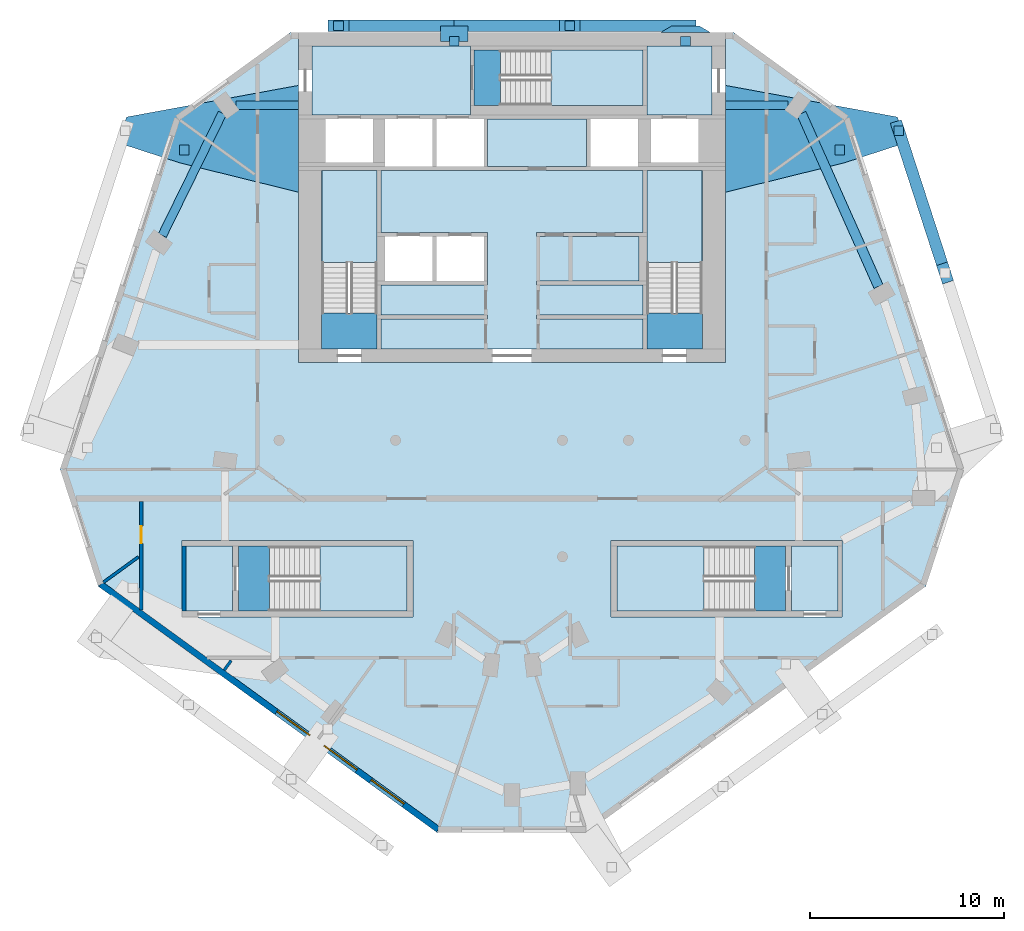
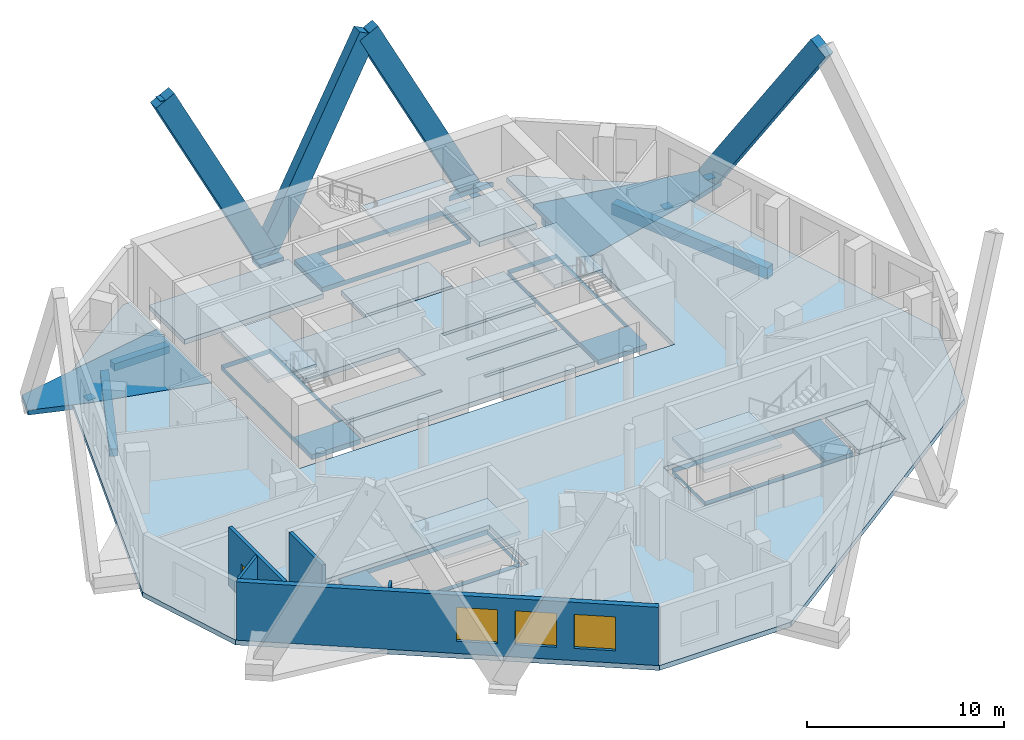
# One storey, part 2 of 9: 17 slabs, 8 members, 7 discrete accessories, 5 walls, 4 beams, 3 windows, 1 door, 4 openings, 5 elements without a shape of their own.
"""IFC4 building model written with IfcOpenShell, lengths in metres."""

from ifc_helpers import new_model, si_unit, direction, frame, frame_2d, origin, origin_2d, place, context, subcontext, project, spatial, polyline, rectangle, outline, extrude, material, layer, layer_set, material_profile, profile_set, type_object, element, fill, aggregate, save


model = new_model("IFC4")

# Units and contexts
model_context = context("Model", 3, precision=1e-05, world=origin(), true_north=direction((0.0, 1.0)))
body_context = subcontext(model_context, "Body", "Model", "MODEL_VIEW")
ifc_project = project(units=[si_unit("LENGTHUNIT", "METRE"), si_unit("AREAUNIT", "SQUARE_METRE"), si_unit("VOLUMEUNIT", "CUBIC_METRE"), si_unit("PLANEANGLEUNIT", "RADIAN"), si_unit("MASSUNIT", "GRAM", prefix="KILO")], contexts=[model_context])

# Site, building, storey
site_placement = place(None, origin())
site = spatial("IfcSite", under=ifc_project, at=site_placement, CompositionType="ELEMENT")
building_placement = place(site_placement, origin())
building = spatial("IfcBuilding", under=site, at=building_placement, Name="White Candle Pilgrim Tower", CompositionType="ELEMENT")
storey_placement = place(building_placement, frame((0.0, 0.0, 271.699951171875)))
storey = spatial("IfcBuildingStorey", under=building, at=storey_placement, Name="L64", CompositionType="ELEMENT", Elevation=271.699951171875)

# Member
ifc_material_1 = material(Name="Concrete C60/75, white", Category="concrete")
ifc_material_profile_1 = material_profile(ifc_material_1, rectangle(XDim=0.60009765625, YDim=1.199951171875, at=origin_2d()), Name="RC-DG 600x1200")
ifc_profile_set_1 = profile_set([ifc_material_profile_1], Name="Concrete C60/75, white")
member_type_1 = type_object("IfcMemberType", Name="Exoskeleton diagonal RC-DG 600x1200 C60/75", PredefinedType="BRACE", material=ifc_profile_set_1)
member_1_placement = place(storey_placement, frame((78.93701171875, 88.35009765625, 0.0), z_axis=(-0.453783992732, 0.0, 0.891111714624), x_axis=(0.0, -1.0, 0.0)))
member_1 = element("IfcMember", 1, at=member_1_placement, inside=storey, type_object=member_type_1, Name="Exoskeleton diagonal EX247", PredefinedType="BRACE", context=body_context, shape_type="SweptSolid", body=[
    extrude(rectangle(XDim=0.60009765625, YDim=1.199951171875, at=origin_2d()), origin(), (0.0, 0.0, 1.0), 13.129638671875),
])

member_2_placement = place(storey_placement, frame((67.02099609375, 88.35009765625, 0.0), z_axis=(0.453783992732, 0.0, 0.891111714624), x_axis=(0.0, 1.0, 0.0)))
element("IfcMember", 2, at=member_2_placement, inside=storey, type_object=member_type_1, Name="Exoskeleton diagonal EX248", PredefinedType="BRACE", context=body_context, shape_type="SweptSolid", body=[
    extrude(rectangle(XDim=0.60009765625, YDim=1.199951171875, at=origin_2d()), origin(), (0.0, 0.0, 1.0), 13.129638671875),
])

member_3_placement = place(storey_placement, frame((67.02099609375, 88.35009765625, 0.0), z_axis=(-0.453783992732, 0.0, 0.891111714624), x_axis=(0.0, -1.0, 0.0)))
member_3 = element("IfcMember", 3, at=member_3_placement, inside=storey, type_object=member_type_1, Name="Exoskeleton diagonal EX249", PredefinedType="BRACE", context=body_context, shape_type="SweptSolid", body=[
    extrude(rectangle(XDim=0.60009765625, YDim=1.199951171875, at=origin_2d()), origin(), (0.0, 0.0, 1.0), 13.129638671875),
])

member_4_placement = place(storey_placement, frame((89.926513671875, 82.9423828125, 0.0), z_axis=(0.169889389564, -0.522897474805, 0.83529385617), x_axis=(0.951062021441, 0.309000050766, 0.0)))
member_4 = element("IfcMember", 4, at=member_4_placement, inside=storey, type_object=member_type_1, Name="Exoskeleton diagonal EX258", PredefinedType="BRACE", context=body_context, shape_type="SweptSolid", body=[
    extrude(rectangle(XDim=0.60009765625, YDim=1.199951171875, at=origin_2d()), origin(), (0.0, 0.0, 1.0), 14.007080078125),
])

ifc_material_2 = material(Name="Concrete C70/85, white", Category="concrete")
ifc_layer_1 = layer(ifc_material_2, 0.300048828125)
ifc_layer_set_1 = layer_set([ifc_layer_1], Name="Node tie strut 3350x1400x300 C70/85")
member_type_2 = type_object("IfcMemberType", Name="Node tie strut 3350x1400x300 C70/85", PredefinedType="STRUT", material=ifc_layer_set_1)
member_5_placement = place(storey_placement, frame((0.0, 0.0, -0.300048828125)))
member_5 = element("IfcMember", 5, at=member_5_placement, inside=storey, type_object=member_type_2, Name="Node tie strut NC222", PredefinedType="STRUT", context=body_context, shape_type="SweptSolid", body=[
    extrude(outline(polyline([(81.0, 79.780029296875), (87.099365234375, 81.28759765625), (90.285400390625, 82.322998046875), (89.852783203125, 83.654296875), (81.0, 85.279296875), (81.0, 79.780029296875)])), origin(), (0.0, 0.0, 1.0), 0.300048828125),
])

member_6_placement = place(storey_placement, frame((0.0, 0.0, -0.300048828125)))
member_6 = element("IfcMember", 6, at=member_6_placement, inside=storey, type_object=member_type_2, Name="Node tie strut NC229", PredefinedType="STRUT", context=body_context, shape_type="SweptSolid", body=[
    extrude(outline(polyline([(59.0, 79.780029296875), (59.0, 85.279296875), (50.147216796875, 83.654296875), (49.714599609375, 82.322998046875), (52.900634765625, 81.28759765625), (59.0, 79.780029296875)])), origin(), (0.0, 0.0, 1.0), 0.300048828125),
])

ifc_layer_2 = layer(ifc_material_2, 0.300048828125)
ifc_layer_set_2 = layer_set([ifc_layer_2], Name="Node tie strut 800x1400x300 C70/85")
member_type_3 = type_object("IfcMemberType", Name="Node tie strut 800x1400x300 C70/85", PredefinedType="STRUT", material=ifc_layer_set_2)
member_7_placement = place(storey_placement, frame((0.0, 0.0, -0.300048828125)))
member_7 = element("IfcMember", 7, at=member_7_placement, inside=storey, type_object=member_type_3, Name="Node tie strut NC223", PredefinedType="STRUT", context=body_context, shape_type="SweptSolid", body=[
    extrude(outline(polyline([(77.636962890625, 88.0), (80.237060546875, 88.0), (79.636962890625, 88.35009765625), (78.237060546875, 88.35009765625), (77.636962890625, 88.0)])), origin(), (0.0, 0.0, 1.0), 0.300048828125),
])

member_8_placement = place(storey_placement, frame((67.02099609375, 87.949951171875, -0.2998046875), z_axis=(0.0, 0.0, 1.0), x_axis=(-1.0, 0.0, 0.0)))
member_8 = element("IfcMember", 8, at=member_8_placement, inside=storey, type_object=member_type_3, Name="Node tie strut NC224", PredefinedType="STRUT", context=body_context, shape_type="SweptSolid", body=[
    extrude(rectangle(XDim=1.39990234375, YDim=0.800048828125, at=origin_2d()), origin(), (0.0, 0.0, 1.0), 0.300048828125),
])

# Beams
ifc_material_3 = material(Name="Concrete C50/60", Category="concrete")
ifc_material_profile_2 = material_profile(ifc_material_3, rectangle(XDim=0.449951171875, YDim=0.449951171875, at=origin_2d()), Name="RC-BM 450x450")
ifc_profile_set_2 = profile_set([ifc_material_profile_2], Name="Concrete C50/60")
beam_type_1 = type_object("IfcBeamType", Name="Spandrel beam RC-BM 450x450 C50/60", PredefinedType="BEAM", material=ifc_profile_set_2)
for number, where, z_axis, x_axis, name in (
    (9, (84.2255859375, 84.260009765625, -0.52490234375), (-1.0, 0.0, 0.0), (0.0, -1.0, 0.0), "L64 spandrel beam T10"),
    (10, (55.7744140625, 84.260009765625, -0.52490234375), (1.0, 0.0, 0.0), (0.0, 1.0, 0.0), "L64 spandrel beam T11"),
):
    element("IfcBeam", number, at=place(storey_placement, frame(where, z_axis=z_axis, x_axis=x_axis)), inside=storey, type_object=beam_type_1, Name=name, PredefinedType="BEAM", context=body_context, shape_type="SweptSolid", body=[
        extrude(rectangle(XDim=0.449951171875, YDim=0.449951171875, at=origin_2d()), origin(), (0.0, 0.0, 1.0), 3.2255859375),
    ])
beam_1_placement = place(storey_placement, frame((55.080810546875, 83.853759765625, -0.52490234375), z_axis=(-0.440604884501, -0.897701139441, 0.0), x_axis=(0.897701139441, -0.440604884501, 0.0)))
element("IfcBeam", 11, at=beam_1_placement, inside=storey, type_object=beam_type_1, Name="L64 spandrel beam T12", PredefinedType="BEAM", context=body_context, shape_type="SweptSolid", body=[
    extrude(rectangle(XDim=0.449951171875, YDim=0.449951171875, at=origin_2d()), origin(), (0.0, 0.0, 1.0), 7.01708984375),
])
ifc_material_profile_3 = material_profile(ifc_material_3, rectangle(XDim=0.5, YDim=0.699951171875, at=origin_2d()), Name="RC-BM 500x700")
ifc_profile_set_3 = profile_set([ifc_material_profile_3], Name="Concrete C50/60")
beam_type_2 = type_object("IfcBeamType", Name="Spandrel beam RC-BM 500x700 C50/60", PredefinedType="BEAM", material=ifc_profile_set_3)
beam_2_placement = place(storey_placement, frame((88.876708984375, 74.9267578125, -0.64990234375), z_axis=(-0.406834969126, 0.913501673724, 0.0), x_axis=(-0.913501673724, -0.406834969126, 0.0)))
element("IfcBeam", 12, at=beam_2_placement, inside=storey, type_object=beam_type_2, Name="L64 spandrel beam T09", PredefinedType="BEAM", context=body_context, shape_type="SweptSolid", body=[
    extrude(rectangle(XDim=0.5, YDim=0.699951171875, at=origin_2d()), origin(), (0.0, 0.0, 1.0), 9.755126953125),
])

# Slabs
ifc_material_4 = material(Name="Concrete C40/50", Category="concrete")
ifc_layer_3 = layer(ifc_material_4, 0.300048828125)
ifc_layer_set_3 = layer_set([ifc_layer_3], Name="Core floor slab 300 mm Concrete C40/50")
slab_type_1 = type_object("IfcSlabType", Name="Core floor slab 300 mm Concrete C40/50", PredefinedType="FLOOR", material=ifc_layer_set_3)
slab_1_placement = place(storey_placement, frame((0.0, 0.0, -0.300048828125)))
element("IfcSlab", 13, at=slab_1_placement, inside=storey, type_object=slab_type_1, Name="CF-L64-01", PredefinedType="FLOOR", context=body_context, shape_type="SweptSolid", body=[
    extrude(outline(polyline([(55.60009765625, 58.199951171875), (53.199951171875, 58.199951171875), (53.199951171875, 61.550048828125), (55.60009765625, 61.550048828125), (55.60009765625, 58.199951171875)])), origin(), (0.0, 0.0, 1.0), 0.300048828125),
])
slab_2_placement = place(storey_placement, frame((0.0, 0.0, -0.300048828125)))
element("IfcSlab", 14, at=slab_2_placement, inside=storey, type_object=slab_type_1, Name="CF-L64-02", PredefinedType="FLOOR", context=body_context, shape_type="SweptSolid", body=[
    extrude(outline(polyline([(55.89990234375, 58.199951171875), (55.89990234375, 61.550048828125), (64.60009765625, 61.550048828125), (64.60009765625, 58.199951171875), (55.89990234375, 58.199951171875)]), holes=[polyline([(57.501953125, 61.548095703125), (57.501953125, 58.201904296875), (64.597900390625, 58.201904296875), (64.597900390625, 61.548095703125), (57.501953125, 61.548095703125)])]), origin(), (0.0, 0.0, 1.0), 0.300048828125),
])
slab_3_placement = place(storey_placement, frame((0.0, 0.0, -0.300048828125)))
element("IfcSlab", 15, at=slab_3_placement, inside=storey, type_object=slab_type_1, Name="CF-L64-03", PredefinedType="FLOOR", context=body_context, shape_type="SweptSolid", body=[
    extrude(outline(polyline([(75.39990234375, 58.199951171875), (75.39990234375, 61.550048828125), (84.10009765625, 61.550048828125), (84.10009765625, 58.199951171875), (75.39990234375, 58.199951171875)]), holes=[polyline([(82.498046875, 61.548095703125), (75.402099609375, 61.548095703125), (75.402099609375, 58.201904296875), (82.498046875, 58.201904296875), (82.498046875, 61.548095703125)])]), origin(), (0.0, 0.0, 1.0), 0.300048828125),
])
slab_4_placement = place(storey_placement, frame((0.0, 0.0, -0.300048828125)))
element("IfcSlab", 16, at=slab_4_placement, inside=storey, type_object=slab_type_1, Name="CF-L64-04", PredefinedType="FLOOR", context=body_context, shape_type="SweptSolid", body=[
    extrude(outline(polyline([(86.800048828125, 58.199951171875), (84.39990234375, 58.199951171875), (84.39990234375, 61.550048828125), (86.800048828125, 61.550048828125), (86.800048828125, 58.199951171875)])), origin(), (0.0, 0.0, 1.0), 0.300048828125),
])
slab_5_placement = place(storey_placement, frame((0.0, 0.0, -0.300048828125)))
element("IfcSlab", 17, at=slab_5_placement, inside=storey, type_object=slab_type_1, Name="CF-L64-05", PredefinedType="FLOOR", context=body_context, shape_type="SweptSolid", body=[
    extrude(outline(polyline([(76.949951171875, 71.699951171875), (76.949951171875, 73.25), (76.949951171875, 73.449951171875), (76.949951171875, 75.0), (76.949951171875, 75.199951171875), (76.949951171875, 77.5), (76.949951171875, 77.699951171875), (76.949951171875, 80.89990234375), (79.800048828125, 80.89990234375), (79.800048828125, 71.699951171875), (76.949951171875, 71.699951171875)]), holes=[polyline([(76.951904296875, 73.552001953125), (79.798095703125, 73.552001953125), (79.798095703125, 80.89794921875), (76.951904296875, 80.89794921875), (76.951904296875, 73.552001953125)])]), origin(), (0.0, 0.0, 1.0), 0.300048828125),
])
slab_6_placement = place(storey_placement, frame((0.0, 0.0, -0.300048828125)))
element("IfcSlab", 18, at=slab_6_placement, inside=storey, type_object=slab_type_1, Name="CF-L64-06", PredefinedType="FLOOR", context=body_context, shape_type="SweptSolid", body=[
    extrude(outline(polyline([(63.25, 71.699951171875), (63.25, 73.25), (68.75, 73.25), (68.75, 73.449951171875), (63.25, 73.449951171875), (63.25, 75.0), (68.75, 75.0), (68.75, 75.199951171875), (68.75, 77.5), (68.75, 77.699951171875), (63.25, 77.699951171875), (63.25, 80.89990234375), (76.75, 80.89990234375), (76.75, 77.699951171875), (71.25, 77.699951171875), (71.25, 77.5), (76.550048828125, 77.5), (76.550048828125, 75.199951171875), (71.25, 75.199951171875), (71.25, 75.0), (76.75, 75.0), (76.75, 73.449951171875), (71.25, 73.449951171875), (71.25, 73.25), (76.75, 73.25), (76.75, 71.699951171875), (63.25, 71.699951171875)])), origin(), (0.0, 0.0, 1.0), 0.300048828125),
])
slab_7_placement = place(storey_placement, frame((0.0, 0.0, -0.300048828125)))
element("IfcSlab", 19, at=slab_7_placement, inside=storey, type_object=slab_type_1, Name="CF-L64-07", PredefinedType="FLOOR", context=body_context, shape_type="SweptSolid", body=[
    extrude(outline(polyline([(60.199951171875, 71.699951171875), (60.199951171875, 80.89990234375), (63.050048828125, 80.89990234375), (63.050048828125, 77.699951171875), (63.050048828125, 77.5), (63.050048828125, 75.199951171875), (63.050048828125, 75.0), (63.050048828125, 73.449951171875), (63.050048828125, 73.25), (63.050048828125, 71.699951171875), (60.199951171875, 71.699951171875)]), holes=[polyline([(60.201904296875, 73.552001953125), (63.048095703125, 73.552001953125), (63.048095703125, 80.89794921875), (60.201904296875, 80.89794921875), (60.201904296875, 73.552001953125)])]), origin(), (0.0, 0.0, 1.0), 0.300048828125),
])
slab_8_placement = place(storey_placement, frame((0.0, 0.0, -0.300048828125)))
element("IfcSlab", 20, at=slab_8_placement, inside=storey, type_object=slab_type_1, Name="CF-L64-08", PredefinedType="FLOOR", context=body_context, shape_type="SweptSolid", body=[
    extrude(outline(polyline([(59.699951171875, 87.300048828125), (67.85009765625, 87.300048828125), (67.85009765625, 87.10009765625), (67.85009765625, 84.25), (67.85009765625, 83.75), (59.699951171875, 83.75), (59.699951171875, 87.300048828125)])), origin(), (0.0, 0.0, 1.0), 0.300048828125),
])
slab_9_placement = place(storey_placement, frame((0.0, 0.0, -0.300048828125)))
element("IfcSlab", 21, at=slab_9_placement, inside=storey, type_object=slab_type_1, Name="CF-L64-09", PredefinedType="FLOOR", context=body_context, shape_type="SweptSolid", body=[
    extrude(outline(polyline([(80.300048828125, 87.300048828125), (80.300048828125, 83.75), (76.949951171875, 83.75), (76.949951171875, 84.25), (76.949951171875, 87.10009765625), (76.949951171875, 87.300048828125), (80.300048828125, 87.300048828125)])), origin(), (0.0, 0.0, 1.0), 0.300048828125),
])
slab_10_placement = place(storey_placement, frame((0.0, 0.0, -0.300048828125)))
element("IfcSlab", 22, at=slab_10_placement, inside=storey, type_object=slab_type_1, Name="CF-L64-10", PredefinedType="FLOOR", context=body_context, shape_type="SweptSolid", body=[
    extrude(outline(polyline([(68.050048828125, 87.10009765625), (76.75, 87.10009765625), (76.75, 84.25), (68.050048828125, 84.25), (68.050048828125, 87.10009765625)]), holes=[polyline([(69.402099609375, 87.097900390625), (69.402099609375, 84.251953125), (76.748046875, 84.251953125), (76.748046875, 87.097900390625), (69.402099609375, 87.097900390625)])]), origin(), (0.0, 0.0, 1.0), 0.300048828125),
])
slab_11_placement = place(storey_placement, frame((0.0, 0.0, -0.300048828125)))
element("IfcSlab", 23, at=slab_11_placement, inside=storey, type_object=slab_type_1, Name="CF-L64-11", PredefinedType="FLOOR", context=body_context, shape_type="SweptSolid", body=[
    extrude(outline(polyline([(73.85009765625, 83.550048828125), (73.85009765625, 81.10009765625), (68.75, 81.10009765625), (68.75, 83.550048828125), (73.85009765625, 83.550048828125)])), origin(), (0.0, 0.0, 1.0), 0.300048828125),
])
ifc_layer_4 = layer(ifc_material_4, 0.300048828125)
ifc_layer_set_4 = layer_set([ifc_layer_4], Name="Floor slab 300 REI 120")
slab_type_2 = type_object("IfcSlabType", Name="Floor slab 300 REI 120", PredefinedType="FLOOR", material=ifc_layer_set_4)
slab_12_placement = place(storey_placement, frame((0.0, 0.0, -0.300048828125)))
element("IfcSlab", 24, at=slab_12_placement, inside=storey, type_object=slab_type_2, Name="L64 floor slab", PredefinedType="FLOOR", context=body_context, shape_type="SweptSolid", body=[
    extrude(outline(polyline([(66.1484375, 46.79150390625), (73.8515625, 46.79150390625), (91.322021484375, 59.484375), (93.278564453125, 65.506103515625), (87.37060546875, 83.68896484375), (81.43701171875, 88.0), (81.0, 88.0), (81.0, 71.0), (59.0, 71.0), (59.0, 88.0), (58.56298828125, 88.0), (52.62939453125, 83.68896484375), (46.721435546875, 65.506103515625), (48.677978515625, 59.484375), (66.1484375, 46.79150390625)]), holes=[polyline([(53.0, 57.89990234375), (53.0, 61.85009765625), (64.89990234375, 61.85009765625), (64.89990234375, 57.89990234375), (53.0, 57.89990234375)]), polyline([(75.10009765625, 57.89990234375), (75.10009765625, 61.85009765625), (87.0, 61.85009765625), (87.0, 57.89990234375), (75.10009765625, 57.89990234375)])]), origin(), (0.0, 0.0, 1.0), 0.300048828125),
])

# Stair, slab
stair_type_1 = type_object("IfcStairType", Name="Exit stair 1 flight width 1350 mm", PredefinedType="HALF_TURN_STAIR", material=ifc_material_4)
stair_1_placement = place(storey_placement, origin())
stair_1 = element("IfcStair", 25, at=stair_1_placement, inside=storey, type_object=stair_type_1, Name="L64 stair 1", PredefinedType="NOTDEFINED")
ifc_layer_5 = layer(ifc_material_4, 0.199951171875)
ifc_layer_set_5 = layer_set([ifc_layer_5], Name="Stair landing Concrete C40/50")
slab_type_3 = type_object("IfcSlabType", Name="Stair landing Concrete C40/50", PredefinedType="LANDING", material=ifc_layer_set_5)
slab_13_placement = place(storey_placement, frame((0.0, 0.0, 1.75)))
slab_13 = element("IfcSlab", 26, at=slab_13_placement, type_object=slab_type_3, Name="ST1 landing 1", PredefinedType="LANDING", context=body_context, shape_type="SweptSolid", body=[
    extrude(outline(polyline([(63.052001953125, 76.14794921875), (60.197998046875, 76.14794921875), (60.197998046875, 80.902099609375), (63.052001953125, 80.902099609375), (63.052001953125, 76.14794921875)])), origin(), (0.0, 0.0, 1.0), 0.199951171875),
])
aggregate(stair_1, [slab_13])

stair_type_2 = type_object("IfcStairType", Name="Exit stair 2 flight width 1350 mm", PredefinedType="HALF_TURN_STAIR", material=ifc_material_4)
stair_2_placement = place(storey_placement, origin())
stair_2 = element("IfcStair", 27, at=stair_2_placement, inside=storey, type_object=stair_type_2, Name="L64 stair 2", PredefinedType="NOTDEFINED")
slab_14_placement = place(storey_placement, frame((0.0, 0.0, 1.75)))
slab_14 = element("IfcSlab", 28, at=slab_14_placement, type_object=slab_type_3, Name="ST2 landing 1", PredefinedType="LANDING", context=body_context, shape_type="SweptSolid", body=[
    extrude(outline(polyline([(79.802001953125, 76.14794921875), (76.947998046875, 76.14794921875), (76.947998046875, 80.902099609375), (79.802001953125, 80.902099609375), (79.802001953125, 76.14794921875)])), origin(), (0.0, 0.0, 1.0), 0.199951171875),
])
aggregate(stair_2, [slab_14])

stair_type_3 = type_object("IfcStairType", Name="Exit stair 3 flight width 1350 mm", PredefinedType="HALF_TURN_STAIR", material=ifc_material_4)
stair_3_placement = place(storey_placement, origin())
stair_3 = element("IfcStair", 29, at=stair_3_placement, inside=storey, type_object=stair_type_3, Name="L64 stair 3", PredefinedType="NOTDEFINED")
slab_15_placement = place(storey_placement, frame((0.0, 0.0, 1.75)))
slab_15 = element("IfcSlab", 30, at=slab_15_placement, type_object=slab_type_3, Name="ST3 landing 1", PredefinedType="LANDING", context=body_context, shape_type="SweptSolid", body=[
    extrude(outline(polyline([(71.998046875, 84.248046875), (71.998046875, 87.10205078125), (76.751953125, 87.10205078125), (76.751953125, 84.248046875), (71.998046875, 84.248046875)])), origin(), (0.0, 0.0, 1.0), 0.199951171875),
])
aggregate(stair_3, [slab_15])

stair_type_4 = type_object("IfcStairType", Name="Exit stair 4 flight width 1600 mm", PredefinedType="HALF_TURN_STAIR", material=ifc_material_4)
stair_4_placement = place(storey_placement, origin())
stair_4 = element("IfcStair", 31, at=stair_4_placement, inside=storey, type_object=stair_type_4, Name="L64 stair 4", PredefinedType="NOTDEFINED")
slab_16_placement = place(storey_placement, frame((0.0, 0.0, 1.75)))
slab_16 = element("IfcSlab", 32, at=slab_16_placement, type_object=slab_type_3, Name="ST4 landing 1", PredefinedType="LANDING", context=body_context, shape_type="SweptSolid", body=[
    extrude(outline(polyline([(79.902099609375, 61.552001953125), (79.902099609375, 58.197998046875), (75.39794921875, 58.197998046875), (75.39794921875, 61.552001953125), (79.902099609375, 61.552001953125)])), origin(), (0.0, 0.0, 1.0), 0.199951171875),
])
aggregate(stair_4, [slab_16])

stair_type_5 = type_object("IfcStairType", Name="Exit stair 5 flight width 1600 mm", PredefinedType="HALF_TURN_STAIR", material=ifc_material_4)
stair_5_placement = place(storey_placement, origin())
stair_5 = element("IfcStair", 33, at=stair_5_placement, inside=storey, type_object=stair_type_5, Name="L64 stair 5", PredefinedType="NOTDEFINED")
slab_17_placement = place(storey_placement, frame((0.0, 0.0, 1.75)))
slab_17 = element("IfcSlab", 34, at=slab_17_placement, type_object=slab_type_3, Name="ST5 landing 1", PredefinedType="LANDING", context=body_context, shape_type="SweptSolid", body=[
    extrude(outline(polyline([(60.097900390625, 58.197998046875), (60.097900390625, 61.552001953125), (64.60205078125, 61.552001953125), (64.60205078125, 58.197998046875), (60.097900390625, 58.197998046875)])), origin(), (0.0, 0.0, 1.0), 0.199951171875),
])
aggregate(stair_5, [slab_17])

# Wall
ifc_layer_6 = layer(ifc_material_3, 0.199951171875)
ifc_layer_set_6 = layer_set([ifc_layer_6], Name="Core wall 200 mm Concrete C50/60")
wall_type_1 = type_object("IfcWallType", Name="Core wall 200 mm Concrete C50/60", PredefinedType="SHEAR", material=ifc_layer_set_6)
wall_1_placement = place(storey_placement, frame((53.10009765625, 58.199951171875, 0.0), z_axis=(0.0, 0.0, 1.0), x_axis=(0.0, 1.0, 0.0)))
element("IfcWall", 35, at=wall_1_placement, inside=storey, type_object=wall_type_1, Name="WL-L64-C03", PredefinedType="SHEAR", context=body_context, shape_type="SweptSolid", body=[
    extrude(rectangle(XDim=3.35009765625, YDim=0.199951171875, at=frame_2d((1.675048828125, 0.0))), origin(), (0.0, 0.0, 1.0), 3.900146484375),
])

# Wall, opening, door
ifc_material_5 = material(Name="Gypsum board on steel studs", Category="steel")
ifc_layer_7 = layer(ifc_material_5, 0.199951171875)
ifc_layer_set_7 = layer_set([ifc_layer_7], Name="Corridor wall 200 mm EI 45")
wall_type_2 = type_object("IfcWallType", Name="Corridor wall 200 mm EI 45", PredefinedType="PARTITIONING", material=ifc_layer_set_7)
wall_2_placement = place(storey_placement, frame((50.89990234375, 58.265625, 0.0), z_axis=(0.0, 0.0, 1.0), x_axis=(0.0, 1.0, 0.0)))
wall_2 = element("IfcWall", 36, at=wall_2_placement, inside=storey, type_object=wall_type_2, Name="WL-L64-P014", PredefinedType="PARTITIONING", context=body_context, shape_type="SweptSolid", body=[
    extrude(rectangle(XDim=5.58447265625, YDim=0.199951171875, at=frame_2d((2.792236328125, 0.0))), origin(), (0.0, 0.0, 1.0), 3.60009765625),
])
opening_1_placement = place(wall_2_placement, frame((3.41943359375, 0.0, 0.0)))
opening_1 = element("IfcOpeningElement", 37, at=opening_1_placement, cuts=wall_2, Name="Opening T20-113", PredefinedType="OPENING", context=body_context, shape_type="SweptSolid", body=[
    extrude(rectangle(XDim=0.89990234375, YDim=2.10009765625, at=frame_2d((0.449951171875, 1.050048828125))), frame((0.0, 0.10986328125, 0.0), z_axis=(0.0, -1.0, 0.0), x_axis=(1.0, 0.0, 0.0)), (0.0, 0.0, 1.0), 0.219970703125),
])
ifc_material_6 = material(Name="Steel door leaf", Category="steel")
door_type = type_object("IfcDoorType", Name="Fire door 900 x 2100 EI 30", OperationType="NOTDEFINED", PredefinedType="DOOR", material=ifc_material_6)
door_placement = place(opening_1_placement, origin())
door = element("IfcDoor", 38, at=door_placement, inside=storey, type_object=door_type, Name="Door T20-113", OperationType="SINGLE_SWING_LEFT", OverallHeight=2.10009765625, OverallWidth=0.89990234375, PredefinedType="DOOR", context=body_context, shape_type="SweptSolid", body=[
    extrude(rectangle(XDim=0.89990234375, YDim=2.10009765625, at=frame_2d((0.449951171875, 1.050048828125))), frame((0.0, 0.02490234375, 0.0), z_axis=(0.0, -1.0, 0.0), x_axis=(1.0, 0.0, 0.0)), (0.0, 0.0, 1.0), 0.050048828125),
])
fill(opening_1, door)

# Wall, openings, windows
ifc_material_7 = material(Name="Precast concrete C40/50", Category="concrete")
ifc_layer_8 = layer(ifc_material_7, 0.320068359375)
ifc_layer_set_8 = layer_set([ifc_layer_8], Name="Facade wall EW1 precast concrete C40/50 pier wall with timber-lined reveals")
wall_type_3 = type_object("IfcWallType", Name="Facade wall EW1 precast concrete C40/50 pier wall with timber-lined reveals", PredefinedType="SOLIDWALL", material=ifc_layer_set_8)
wall_3_placement = place(storey_placement, frame((48.814208984375, 59.583251953125, 0.0), z_axis=(0.0, 0.0, 1.0), x_axis=(0.809016992157, -0.587785255346, 0.0)))
wall_3 = element("IfcWall", 39, at=wall_3_placement, inside=storey, type_object=wall_type_3, Name="Facade wall L64 SW", PredefinedType="SOLIDWALL", context=body_context, shape_type="SweptSolid", body=[
    extrude(rectangle(XDim=21.490478515625, YDim=0.320068359375, at=frame_2d((10.7451171875, 0.0))), origin(), (0.0, 0.0, 1.0), 3.60009765625),
])
opening_2_placement = place(wall_3_placement, frame((11.1953125, 0.0, 0.75)))
opening_2 = element("IfcOpeningElement", 40, at=opening_2_placement, cuts=wall_3, Name="Opening W3", PredefinedType="OPENING", context=body_context, shape_type="SweptSolid", body=[
    extrude(rectangle(XDim=2.10009765625, YDim=2.10009765625, at=frame_2d((1.050048828125, 1.050048828125))), frame((0.0, 0.169921875, 0.0), z_axis=(0.0, -1.0, 0.0), x_axis=(1.0, 0.0, 0.0)), (0.0, 0.0, 1.0), 0.340087890625),
])
opening_3_placement = place(wall_3_placement, frame((14.1953125, 0.0, 0.75)))
opening_3 = element("IfcOpeningElement", 41, at=opening_3_placement, cuts=wall_3, Name="Opening W3", PredefinedType="OPENING", context=body_context, shape_type="SweptSolid", body=[
    extrude(rectangle(XDim=2.10009765625, YDim=2.10009765625, at=frame_2d((1.050048828125, 1.050048828125))), frame((0.0, 0.169921875, 0.0), z_axis=(0.0, -1.0, 0.0), x_axis=(1.0, 0.0, 0.0)), (0.0, 0.0, 1.0), 0.340087890625),
])
opening_4_placement = place(wall_3_placement, frame((17.1953125, 0.0, 0.75)))
opening_4 = element("IfcOpeningElement", 42, at=opening_4_placement, cuts=wall_3, Name="Opening W3", PredefinedType="OPENING", context=body_context, shape_type="SweptSolid", body=[
    extrude(rectangle(XDim=2.10009765625, YDim=2.10009765625, at=frame_2d((1.050048828125, 1.050048828125))), frame((0.0, 0.169921875, 0.0), z_axis=(0.0, -1.0, 0.0), x_axis=(1.0, 0.0, 0.0)), (0.0, 0.0, 1.0), 0.340087890625),
])
ifc_material_8 = material(Name="Timber frame with triple glazing", Category="wood")
window_type = type_object("IfcWindowType", Name="Window W3 2100x2100 timber frame triple glazing", PartitioningType="SINGLE_PANEL", PredefinedType="WINDOW", material=ifc_material_8)
window_1_placement = place(opening_2_placement, origin())
window_1 = element("IfcWindow", 43, at=window_1_placement, inside=storey, type_object=window_type, Name="Window W3 L64 SW 4", OverallHeight=2.10009765625, OverallWidth=2.10009765625, PartitioningType="SINGLE_PANEL", PredefinedType="WINDOW", context=body_context, shape_type="SweptSolid", body=[
    extrude(rectangle(XDim=2.10009765625, YDim=2.10009765625, at=frame_2d((1.050048828125, 1.050048828125))), frame((0.0, 0.070068359375, 0.0), z_axis=(0.0, -1.0, 0.0), x_axis=(1.0, 0.0, 0.0)), (0.0, 0.0, 1.0), 0.06005859375),
])
fill(opening_2, window_1)
window_2_placement = place(opening_3_placement, origin())
window_2 = element("IfcWindow", 44, at=window_2_placement, inside=storey, type_object=window_type, Name="Window W3 L64 SW 5", OverallHeight=2.10009765625, OverallWidth=2.10009765625, PartitioningType="SINGLE_PANEL", PredefinedType="WINDOW", context=body_context, shape_type="SweptSolid", body=[
    extrude(rectangle(XDim=2.10009765625, YDim=2.10009765625, at=frame_2d((1.050048828125, 1.050048828125))), frame((0.0, 0.070068359375, 0.0), z_axis=(0.0, -1.0, 0.0), x_axis=(1.0, 0.0, 0.0)), (0.0, 0.0, 1.0), 0.06005859375),
])
fill(opening_3, window_2)
window_3_placement = place(opening_4_placement, origin())
window_3 = element("IfcWindow", 45, at=window_3_placement, inside=storey, type_object=window_type, Name="Window W3 L64 SW 6", OverallHeight=2.10009765625, OverallWidth=2.10009765625, PartitioningType="SINGLE_PANEL", PredefinedType="WINDOW", context=body_context, shape_type="SweptSolid", body=[
    extrude(rectangle(XDim=2.10009765625, YDim=2.10009765625, at=frame_2d((1.050048828125, 1.050048828125))), frame((0.0, 0.070068359375, 0.0), z_axis=(0.0, -1.0, 0.0), x_axis=(1.0, 0.0, 0.0)), (0.0, 0.0, 1.0), 0.06005859375),
])
fill(opening_4, window_3)

# Walls
ifc_layer_9 = layer(ifc_material_5, 0.14990234375)
ifc_layer_set_9 = layer_set([ifc_layer_9], Name="Partition 150 mm EI 60")
wall_type_4 = type_object("IfcWallType", Name="Partition 150 mm EI 60", PredefinedType="PARTITIONING", material=ifc_layer_set_9)
wall_4_placement = place(storey_placement, frame((48.9501953125, 59.68212890625, 0.0), z_axis=(0.0, 0.0, 1.0), x_axis=(0.809043446495, 0.58774884235, 0.0)))
element("IfcWall", 46, at=wall_4_placement, inside=storey, type_object=wall_type_4, Name="WL-L64-P017", PredefinedType="PARTITIONING", context=body_context, shape_type="SweptSolid", body=[
    extrude(rectangle(XDim=2.23193359375, YDim=0.14990234375, at=frame_2d((1.115966796875, 0.0))), origin(), (0.0, 0.0, 1.0), 3.60009765625),
])
wall_5_placement = place(storey_placement, frame((55.17431640625, 55.16015625, 0.0), z_axis=(0.0, 0.0, 1.0), x_axis=(0.587626737585, 0.809132138328, 0.0)))
element("IfcWall", 47, at=wall_5_placement, inside=storey, type_object=wall_type_4, Name="WL-L64-P029", PredefinedType="PARTITIONING", context=body_context, shape_type="SweptSolid", body=[
    extrude(rectangle(XDim=0.61279296875, YDim=0.14990234375, at=frame_2d((0.306396484375, 0.0))), origin(), (0.0, 0.0, 1.0), 3.60009765625),
])

# Discrete accessory
ifc_material_9 = material(Name="Steel S355", Category="steel")
ifc_layer_10 = layer(ifc_material_9, 0.02490234375)
ifc_layer_set_10 = layer_set([ifc_layer_10], Name="Gusset plate 500x500x25 S355")
discrete_accessory_type = type_object("IfcDiscreteAccessoryType", Name="Gusset plate 500x500x25 S355", PredefinedType="BRACKET", material=ifc_layer_set_10)
placement = place(building_placement, frame((0.0, 0.0, 283.39990234375)))
discrete_accessory_1_placement = place(placement, frame((72.97900390625, 88.35009765625, -0.012451171875), z_axis=(0.0, 0.0, 1.0), x_axis=(1.0, 0.0, 0.0)))
discrete_accessory_1 = element("IfcDiscreteAccessory", 48, at=discrete_accessory_1_placement, type_object=discrete_accessory_type, Name="Gusset plate 0287", PredefinedType="BRACKET", context=body_context, shape_type="SweptSolid", body=[
    extrude(rectangle(XDim=0.5, YDim=0.5, at=origin_2d()), origin(), (0.0, 0.0, 1.0), 0.02490234375),
])

aggregate(member_1, [discrete_accessory_1])

discrete_accessory_2_placement = place(placement, frame((61.06298828125, 88.35009765625, -0.012451171875), z_axis=(0.0, 0.0, 1.0), x_axis=(1.0, 0.0, 0.0)))
discrete_accessory_2 = element("IfcDiscreteAccessory", 49, at=discrete_accessory_2_placement, type_object=discrete_accessory_type, Name="Gusset plate 0288", PredefinedType="BRACKET", context=body_context, shape_type="SweptSolid", body=[
    extrude(rectangle(XDim=0.5, YDim=0.5, at=origin_2d()), origin(), (0.0, 0.0, 1.0), 0.02490234375),
])

aggregate(member_3, [discrete_accessory_2])

discrete_accessory_3_placement = place(storey_placement, frame((89.926513671875, 82.9423828125, -0.012451171875), z_axis=(0.0, 0.0, 1.0), x_axis=(1.0, 0.0, 0.0)))
discrete_accessory_3 = element("IfcDiscreteAccessory", 50, at=discrete_accessory_3_placement, type_object=discrete_accessory_type, Name="Gusset plate 0299", PredefinedType="BRACKET", context=body_context, shape_type="SweptSolid", body=[
    extrude(rectangle(XDim=0.5, YDim=0.5, at=origin_2d()), origin(), (0.0, 0.0, 1.0), 0.02490234375),
])

aggregate(member_4, [discrete_accessory_3])

discrete_accessory_4_placement = place(storey_placement, frame((86.883056640625, 81.953369140625, -0.162353515625), z_axis=(0.0, 0.0, 1.0), x_axis=(1.0, 0.0, 0.0)))
discrete_accessory_4 = element("IfcDiscreteAccessory", 51, at=discrete_accessory_4_placement, type_object=discrete_accessory_type, Name="Gusset plate 0603", PredefinedType="BRACKET", context=body_context, shape_type="SweptSolid", body=[
    extrude(rectangle(XDim=0.5, YDim=0.5, at=origin_2d()), origin(), (0.0, 0.0, 1.0), 0.02490234375),
])

aggregate(member_5, [discrete_accessory_4])

discrete_accessory_5_placement = place(storey_placement, frame((78.93701171875, 87.550048828125, -0.162353515625), z_axis=(0.0, 0.0, 1.0), x_axis=(1.0, 0.0, 0.0)))
discrete_accessory_5 = element("IfcDiscreteAccessory", 52, at=discrete_accessory_5_placement, type_object=discrete_accessory_type, Name="Gusset plate 0604", PredefinedType="BRACKET", context=body_context, shape_type="SweptSolid", body=[
    extrude(rectangle(XDim=0.5, YDim=0.5, at=origin_2d()), origin(), (0.0, 0.0, 1.0), 0.02490234375),
])

aggregate(member_7, [discrete_accessory_5])

discrete_accessory_6_placement = place(storey_placement, frame((67.02099609375, 87.550048828125, -0.162353515625), z_axis=(0.0, 0.0, 1.0), x_axis=(1.0, 0.0, 0.0)))
discrete_accessory_6 = element("IfcDiscreteAccessory", 53, at=discrete_accessory_6_placement, type_object=discrete_accessory_type, Name="Gusset plate 0605", PredefinedType="BRACKET", context=body_context, shape_type="SweptSolid", body=[
    extrude(rectangle(XDim=0.5, YDim=0.5, at=origin_2d()), origin(), (0.0, 0.0, 1.0), 0.02490234375),
])

aggregate(member_8, [discrete_accessory_6])

discrete_accessory_7_placement = place(storey_placement, frame((53.116943359375, 81.953369140625, -0.162353515625), z_axis=(0.0, 0.0, 1.0), x_axis=(1.0, 0.0, 0.0)))
discrete_accessory_7 = element("IfcDiscreteAccessory", 54, at=discrete_accessory_7_placement, type_object=discrete_accessory_type, Name="Gusset plate 0610", PredefinedType="BRACKET", context=body_context, shape_type="SweptSolid", body=[
    extrude(rectangle(XDim=0.5, YDim=0.5, at=origin_2d()), origin(), (0.0, 0.0, 1.0), 0.02490234375),
])

aggregate(member_6, [discrete_accessory_7])

save(model, "model.ifc")
